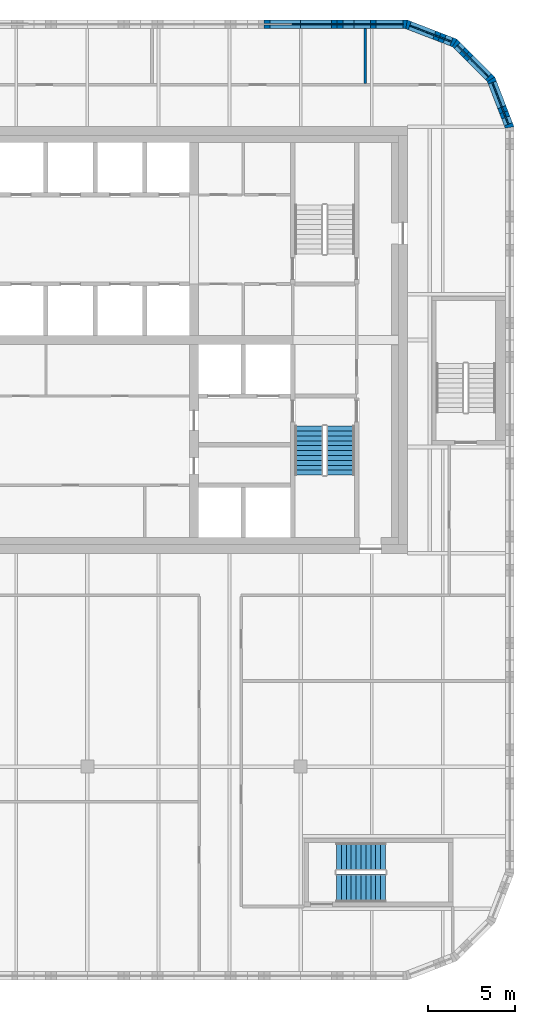
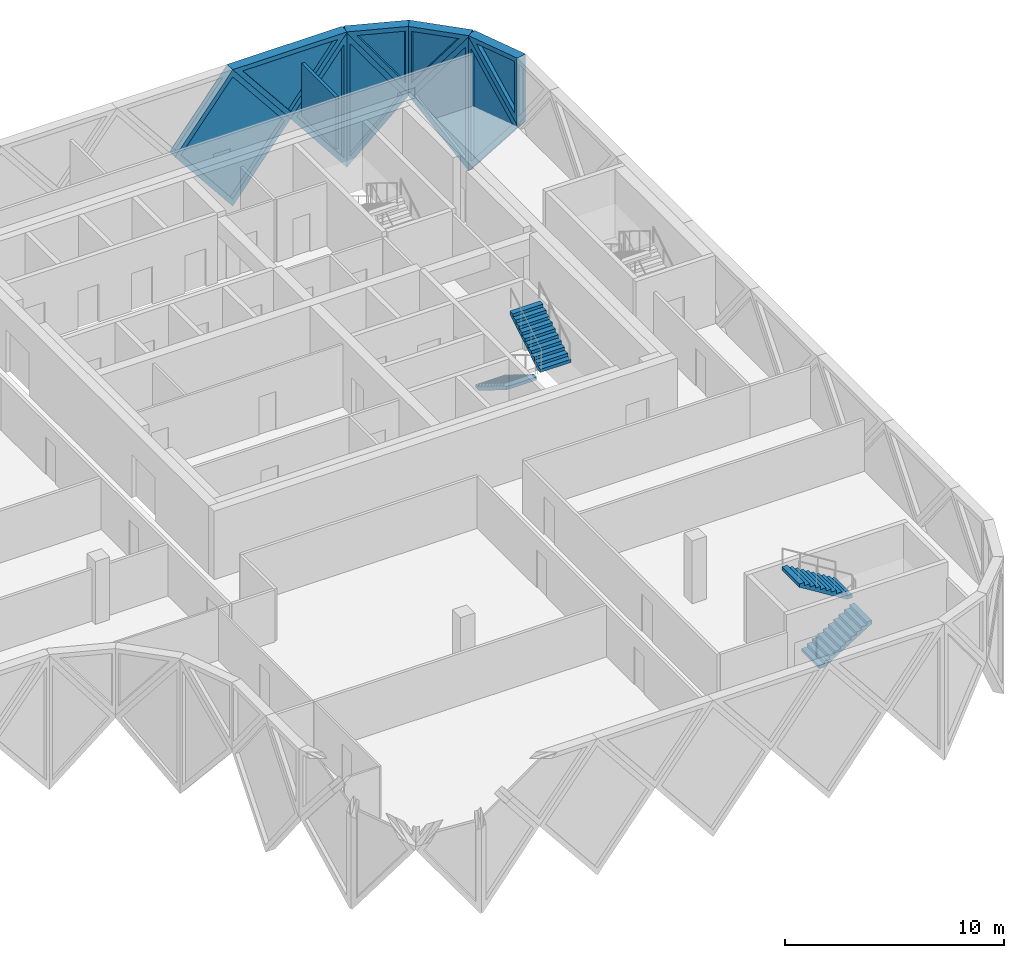
# One storey, part 13 of 15: 10 walls, 9 plates, 4 stair flights, 9 openings, 2 elements without a shape of their own.
"""IFC4 building model written with IfcOpenShell, lengths in metres."""

from ifc_helpers import new_model, si_unit, direction, frame, frame_2d, origin, place, context, subcontext, project, spatial, polyline, rectangle, outline, extrude, faceted_brep, source, transform, mapped, material, layer, layer_set, type_object, element, fill, aggregate, save


model = new_model("IFC4")

# Units and contexts
model_context = context("Model", 3, precision=1e-05, world=origin(), true_north=direction((0.0, 1.0)))
body_context = subcontext(model_context, "Body", "Model", "MODEL_VIEW")
ifc_project = project(units=[si_unit("LENGTHUNIT", "METRE"), si_unit("AREAUNIT", "SQUARE_METRE"), si_unit("VOLUMEUNIT", "CUBIC_METRE"), si_unit("PLANEANGLEUNIT", "RADIAN"), si_unit("MASSUNIT", "GRAM", prefix="KILO")], contexts=[model_context])

# Site, building, storey
site_placement = place(None, origin())
site = spatial("IfcSite", under=ifc_project, at=site_placement, CompositionType="ELEMENT")
building_placement = place(site_placement, origin())
building = spatial("IfcBuilding", under=site, at=building_placement, Name="Tessera Gate Towers", CompositionType="ELEMENT")
storey_placement = place(building_placement, frame((0.0, 0.0, 228.300048828125)))
storey = spatial("IfcBuildingStorey", under=building, at=storey_placement, Name="L57", CompositionType="ELEMENT", Elevation=228.300048828125)

# Wall
ifc_material_1 = material(Name="Gypsum board on steel studs, mineral wool", Category="steel")
ifc_layer_1 = layer(ifc_material_1, 0.14990234375)
ifc_layer_set_1 = layer_set([ifc_layer_1], Name="TENANCY WALL 150")
wall_type_1 = type_object("IfcWallType", Name="TENANCY WALL 150", PredefinedType="PARTITIONING", material=ifc_layer_set_1)
wall_1_placement = place(storey_placement, frame((52.5, 51.27587890625, 0.0), z_axis=(0.0, 0.0, 1.0), x_axis=(0.0, 1.0, 0.0)))
element("IfcWall", 1, at=wall_1_placement, inside=storey, type_object=wall_type_1, Name="T1-L57-PW-055", PredefinedType="PARTITIONING", context=body_context, shape_type="SweptSolid", body=[
    extrude(rectangle(XDim=3.1240234375, YDim=0.14990234375, at=frame_2d((1.56201171875, 0.0))), origin(), (0.0, 0.0, 1.0), 2.887939453125),
])

# Wall, opening, plate
ifc_material_2 = material(Name="Precast concrete C60/75 white", Category="concrete")
ifc_layer_2 = layer(ifc_material_2, 0.5)
ifc_layer_set_2 = layer_set([ifc_layer_2], Name="TS1 tessera")
wall_type_2 = type_object("IfcWallType", Name="TS1 tessera", PredefinedType="SOLIDWALL", material=ifc_layer_set_2)
shared_shape_1 = source(origin(), body_context, "Body", "SweptSolid", [
    extrude(outline(polyline([(3.050048828125, 0.0), (6.10009765625, 3.800048828125), (3.050048828125, 7.60009765625), (0.0, 3.800048828125), (3.050048828125, 0.0)])), frame((0.0, 0.25, 0.0), z_axis=(0.0, -1.0, 0.0), x_axis=(1.0, 0.0, 0.0)), (0.0, 0.0, 1.0), 0.5),
])
wall_2_placement = place(storey_placement, frame((51.85009765625, 54.64990234375, -3.800048828125), z_axis=(0.0, 0.0, 1.0), x_axis=(-1.0, 0.0, 0.0)))
wall_2 = element("IfcWall", 2, at=wall_2_placement, inside=storey, type_object=wall_type_2, Name="Precast tessera T1 TS1-1022", PredefinedType="SOLIDWALL", context=body_context, shape_type="MappedRepresentation", body=[
    mapped(shared_shape_1, transform((0.0, 0.0, 0.0), scale=1.0)),
])
shared_shape_2 = source(origin(), body_context, "Body", "SweptSolid", [
    extrude(outline(polyline([(3.050048828125, 0.3994140625), (5.779541015625, 3.800048828125), (3.050048828125, 7.20068359375), (0.320556640625, 3.800048828125), (3.050048828125, 0.3994140625)])), frame((0.0, 0.260009765625, 0.0), z_axis=(0.0, -1.0, 0.0), x_axis=(1.0, 0.0, 0.0)), (0.0, 0.0, 1.0), 0.52001953125),
])
opening_1_placement = place(wall_2_placement, origin())
opening_1 = element("IfcOpeningElement", 3, at=opening_1_placement, cuts=wall_2, Name="Opening T1-PL2-2088", PredefinedType="OPENING", context=body_context, shape_type="MappedRepresentation", body=[
    mapped(shared_shape_2, transform((0.0, 0.0, 0.0), scale=1.0)),
])
ifc_material_3 = material(Name="Low-e laminated glass", Category="glass")
ifc_layer_3 = layer(ifc_material_3, 0.06005859375)
ifc_layer_set_3 = layer_set([ifc_layer_3], Name="PL2 rhombic pane")
plate_type_1 = type_object("IfcPlateType", Name="PL2 rhombic pane", PredefinedType="SHEET", material=ifc_layer_set_3)
shared_shape_3 = source(origin(), body_context, "Body", "SweptSolid", [
    extrude(outline(polyline([(3.050048828125, 0.3994140625), (5.779541015625, 3.800048828125), (3.050048828125, 7.20068359375), (0.320556640625, 3.800048828125), (3.050048828125, 0.3994140625)])), frame((0.0, 0.030029296875, 0.0), z_axis=(0.0, -1.0, 0.0), x_axis=(1.0, 0.0, 0.0)), (0.0, 0.0, 1.0), 0.06005859375),
])
plate_1_placement = place(opening_1_placement, origin())
plate_1 = element("IfcPlate", 4, at=plate_1_placement, inside=storey, type_object=plate_type_1, Name="Glass pane T1 PL2-2088", PredefinedType="SHEET", context=body_context, shape_type="MappedRepresentation", body=[
    mapped(shared_shape_3, transform((0.0, 0.0, 0.0), scale=1.0)),
])
fill(opening_1, plate_1)

ifc_material_4 = material(Name="Precast concrete C60/75 white", Category="concrete")
ifc_layer_4 = layer(ifc_material_4, 0.5)
ifc_layer_set_4 = layer_set([ifc_layer_4], Name="TS3 corner tessera")
wall_type_3 = type_object("IfcWallType", Name="TS3 corner tessera", PredefinedType="SOLIDWALL", material=ifc_layer_set_4)
shared_shape_4 = source(origin(), body_context, "Body", "Brep", [
    faceted_brep([(2.950439453125, -0.25, 0.0), (2.9970703125, -0.25, 0.05908203125), (2.9970703125, -0.25, 7.541015625), (2.950439453125, -0.25, 7.60009765625), (0.0, -0.25, 3.800048828125), (0.052978515625, 0.25, 3.8681640625), (2.904052734375, 0.25, 7.540283203125), (2.904052734375, 0.25, 0.059814453125), (0.052978515625, 0.25, 3.73193359375), (2.950439453125, 0.00048828125, 0.0), (2.950439453125, 0.00048828125, 7.60009765625), (0.0, 0.0, 3.800048828125)], [[[0, 1, 2, 3, 4]], [[5, 6, 7, 8]], [[1, 0, 9]], [[10, 3, 2]], [[6, 5, 11, 4, 3, 10]], [[8, 7, 9, 0, 4, 11]], [[8, 11, 5]], [[1, 9, 7, 6, 10, 2]]]),
])
wall_3_placement = place(storey_placement, frame((57.606201171875, 53.588134765625, -3.800048828125), z_axis=(0.0, 0.0, 1.0), x_axis=(-0.932990326376, 0.359901446078, 0.0)))
wall_3 = element("IfcWall", 5, at=wall_3_placement, inside=storey, type_object=wall_type_3, Name="Precast corner tessera T1 TS3-1329", PredefinedType="SOLIDWALL", context=body_context, shape_type="MappedRepresentation", body=[
    mapped(shared_shape_4, transform((0.0, 0.0, 0.0), scale=1.0)),
])
shared_shape_5 = source(origin(), body_context, "Body", "SweptSolid", [
    extrude(outline(polyline([(2.75048828125, 6.934814453125), (0.31640625, 3.800048828125), (2.75048828125, 0.665283203125), (2.75048828125, 6.934814453125)])), frame((0.0, 0.260009765625, 0.0), z_axis=(0.0, -1.0, 0.0), x_axis=(1.0, 0.0, 0.0)), (0.0, 0.0, 1.0), 0.52001953125),
])
opening_2_placement = place(wall_3_placement, origin())
opening_2 = element("IfcOpeningElement", 6, at=opening_2_placement, cuts=wall_3, Name="Opening T1-PL2-2086", PredefinedType="OPENING", context=body_context, shape_type="MappedRepresentation", body=[
    mapped(shared_shape_5, transform((0.0, 0.0, 0.0), scale=1.0)),
])
shared_shape_6 = source(origin(), body_context, "Body", "SweptSolid", [
    extrude(outline(polyline([(2.75048828125, 6.934814453125), (0.31640625, 3.800048828125), (2.75048828125, 0.665283203125), (2.75048828125, 6.934814453125)])), frame((0.0, 0.030029296875, 0.0), z_axis=(0.0, -1.0, 0.0), x_axis=(1.0, 0.0, 0.0)), (0.0, 0.0, 1.0), 0.06005859375),
])
plate_2_placement = place(opening_2_placement, origin())
plate_2 = element("IfcPlate", 7, at=plate_2_placement, inside=storey, type_object=plate_type_1, Name="Glass pane T1 PL2-2086", PredefinedType="SHEET", context=body_context, shape_type="MappedRepresentation", body=[
    mapped(shared_shape_6, transform((0.0, 0.0, 0.0), scale=1.0)),
])
fill(opening_2, plate_2)

shared_shape_7 = source(origin(), body_context, "Body", "Brep", [
    faceted_brep([(0.046630859375, -0.25, 0.0), (3.050048828125, -0.25, 3.800048828125), (0.046630859375, -0.25, 7.60009765625), (0.0, -0.25, 7.5400390625), (0.0, -0.25, 0.06005859375), (0.09326171875, 0.25, 7.541259765625), (3.050048828125, 0.25, 3.800048828125), (0.09326171875, 0.25, 0.058837890625), (0.046630859375, 0.0, 0.0), (0.046630859375, 0.0, 7.60009765625)], [[[0, 1, 2, 3, 4]], [[5, 6, 7]], [[7, 6, 1, 0, 8]], [[6, 5, 9, 2, 1]], [[3, 2, 9]], [[8, 0, 4]], [[7, 8, 4, 3, 9, 5]]]),
])
wall_4_placement = place(storey_placement, frame((54.900146484375, 54.64990234375, -3.800048828125), z_axis=(0.0, 0.0, 1.0), x_axis=(-1.0, 0.0, 0.0)))
wall_4 = element("IfcWall", 8, at=wall_4_placement, inside=storey, type_object=wall_type_3, Name="Precast corner tessera T1 TS3-1330", PredefinedType="SOLIDWALL", context=body_context, shape_type="MappedRepresentation", body=[
    mapped(shared_shape_7, transform((0.0, 0.0, 0.0), scale=1.0)),
])
shared_shape_8 = source(origin(), body_context, "Body", "SweptSolid", [
    extrude(outline(polyline([(0.24658203125, 0.65625), (2.7314453125, 3.800048828125), (0.24658203125, 6.94384765625), (0.24658203125, 0.65625)])), frame((0.0, 0.260009765625, 0.0), z_axis=(0.0, -1.0, 0.0), x_axis=(1.0, 0.0, 0.0)), (0.0, 0.0, 1.0), 0.52001953125),
])
opening_3_placement = place(wall_4_placement, origin())
opening_3 = element("IfcOpeningElement", 9, at=opening_3_placement, cuts=wall_4, Name="Opening T1-PL2-2087", PredefinedType="OPENING", context=body_context, shape_type="MappedRepresentation", body=[
    mapped(shared_shape_8, transform((0.0, 0.0, 0.0), scale=1.0)),
])
shared_shape_9 = source(origin(), body_context, "Body", "SweptSolid", [
    extrude(outline(polyline([(0.24658203125, 0.65625), (2.7314453125, 3.800048828125), (0.24658203125, 6.94384765625), (0.24658203125, 0.65625)])), frame((0.0, 0.030029296875, 0.0), z_axis=(0.0, -1.0, 0.0), x_axis=(1.0, 0.0, 0.0)), (0.0, 0.0, 1.0), 0.06005859375),
])
plate_3_placement = place(opening_3_placement, origin())
plate_3 = element("IfcPlate", 10, at=plate_3_placement, inside=storey, type_object=plate_type_1, Name="Glass pane T1 PL2-2087", PredefinedType="SHEET", context=body_context, shape_type="MappedRepresentation", body=[
    mapped(shared_shape_9, transform((0.0, 0.0, 0.0), scale=1.0)),
])
fill(opening_3, plate_3)

shared_shape_10 = source(origin(), body_context, "Body", "Brep", [
    faceted_brep([(2.950439453125, -0.25, 0.0), (3.00341796875, -0.25, 0.068359375), (3.00341796875, -0.25, 7.53173828125), (2.950439453125, -0.25, 7.60009765625), (0.0, -0.25, 3.800048828125), (0.046630859375, 0.25, 3.860107421875), (2.897705078125, 0.25, 7.531982421875), (2.897705078125, 0.25, 0.068115234375), (0.046630859375, 0.25, 3.739990234375), (2.950439453125, 0.00048828125, 0.0), (2.950439453125, 0.00048828125, 7.60009765625), (0.0, 0.0, 3.800048828125)], [[[0, 1, 2, 3, 4]], [[5, 6, 7, 8]], [[1, 0, 9]], [[10, 3, 2]], [[6, 5, 11, 4, 3, 10]], [[8, 7, 9, 0, 4, 11]], [[8, 11, 5]], [[1, 9, 7, 6, 10, 2]]]),
])
wall_5_placement = place(storey_placement, frame((60.75, 48.75341796875, -3.800048828125), z_axis=(0.0, 0.0, 1.0), x_axis=(-0.35992665181, 0.932980602862, 0.0)))
wall_5 = element("IfcWall", 11, at=wall_5_placement, inside=storey, type_object=wall_type_3, Name="Precast corner tessera T1 TS3-1327", PredefinedType="SOLIDWALL", context=body_context, shape_type="MappedRepresentation", body=[
    mapped(shared_shape_10, transform((0.0, 0.0, 0.0), scale=1.0)),
])
opening_4_placement = place(wall_5_placement, origin())
opening_4 = element("IfcOpeningElement", 12, at=opening_4_placement, cuts=wall_5, Name="Opening T1-PL2-2084", PredefinedType="OPENING", context=body_context, shape_type="MappedRepresentation", body=[
    mapped(shared_shape_5, transform((0.0, 0.0, 0.0), scale=1.0)),
])
plate_4_placement = place(opening_4_placement, origin())
plate_4 = element("IfcPlate", 13, at=plate_4_placement, inside=storey, type_object=plate_type_1, Name="Glass pane T1 PL2-2084", PredefinedType="SHEET", context=body_context, shape_type="MappedRepresentation", body=[
    mapped(shared_shape_6, transform((0.0, 0.0, 0.0), scale=1.0)),
])
fill(opening_4, plate_4)

shared_shape_11 = source(origin(), body_context, "Body", "Brep", [
    faceted_brep([(0.052978515625, -0.25, 0.0), (2.9970703125, -0.25, 3.800048828125), (0.052978515625, -0.25, 7.60009765625), (0.0, -0.25, 7.531982421875), (0.0, -0.25, 0.068115234375), (0.10595703125, 0.25, 7.53173828125), (2.944091796875, 0.25, 3.8681640625), (2.944091796875, 0.25, 3.73193359375), (0.10595703125, 0.25, 0.068359375), (2.9970703125, 0.000244140625, 3.800048828125), (0.052978515625, 0.0, 0.0), (0.052978515625, 0.0, 7.60009765625)], [[[0, 1, 2, 3, 4]], [[5, 6, 7, 8]], [[8, 7, 9, 1, 0, 10]], [[6, 5, 11, 2, 1, 9]], [[3, 2, 11]], [[10, 0, 4]], [[8, 10, 4, 3, 11, 5]], [[9, 7, 6]]]),
])
wall_6_placement = place(storey_placement, frame((59.7255859375, 51.46875, -3.800048828125), z_axis=(0.0, 0.0, 1.0), x_axis=(-0.707106781187, 0.707106781187, 0.0)))
wall_6 = element("IfcWall", 14, at=wall_6_placement, inside=storey, type_object=wall_type_3, Name="Precast corner tessera T1 TS3-1328", PredefinedType="SOLIDWALL", context=body_context, shape_type="MappedRepresentation", body=[
    mapped(shared_shape_11, transform((0.0, 0.0, 0.0), scale=1.0)),
])
shared_shape_12 = source(origin(), body_context, "Body", "SweptSolid", [
    extrude(outline(polyline([(0.2529296875, 0.666259765625), (2.680908203125, 3.800048828125), (0.2529296875, 6.93359375), (0.2529296875, 0.666259765625)])), frame((0.0, 0.260009765625, 0.0), z_axis=(0.0, -1.0, 0.0), x_axis=(1.0, 0.0, 0.0)), (0.0, 0.0, 1.0), 0.52001953125),
])
opening_5_placement = place(wall_6_placement, origin())
opening_5 = element("IfcOpeningElement", 15, at=opening_5_placement, cuts=wall_6, Name="Opening T1-PL2-2085", PredefinedType="OPENING", context=body_context, shape_type="MappedRepresentation", body=[
    mapped(shared_shape_12, transform((0.0, 0.0, 0.0), scale=1.0)),
])
shared_shape_13 = source(origin(), body_context, "Body", "SweptSolid", [
    extrude(outline(polyline([(0.2529296875, 0.666259765625), (2.680908203125, 3.800048828125), (0.2529296875, 6.93359375), (0.2529296875, 0.666259765625)])), frame((0.0, 0.030029296875, 0.0), z_axis=(0.0, -1.0, 0.0), x_axis=(1.0, 0.0, 0.0)), (0.0, 0.0, 1.0), 0.06005859375),
])
plate_5_placement = place(opening_5_placement, origin())
plate_5 = element("IfcPlate", 16, at=plate_5_placement, inside=storey, type_object=plate_type_1, Name="Glass pane T1 PL2-2085", PredefinedType="SHEET", context=body_context, shape_type="MappedRepresentation", body=[
    mapped(shared_shape_13, transform((0.0, 0.0, 0.0), scale=1.0)),
])
fill(opening_5, plate_5)

shared_shape_14 = source(origin(), body_context, "Body", "Brep", [
    faceted_brep([(0.046630859375, -0.25, 0.0), (2.9970703125, -0.25, 3.800048828125), (0.0, -0.25, 3.800048828125), (0.0, -0.25, 0.058837890625), (0.09326171875, 0.25, 3.800048828125), (2.9443359375, 0.25, 3.800048828125), (2.9443359375, 0.25, 3.73193359375), (0.09326171875, 0.25, 0.06005859375), (2.9970703125, 0.00048828125, 3.800048828125), (0.046630859375, 0.0, 0.0)], [[[0, 1, 2, 3]], [[4, 5, 6, 7]], [[7, 6, 8, 1, 0, 9]], [[5, 4, 2, 1, 8]], [[9, 0, 3]], [[7, 9, 3, 2, 4]], [[6, 5, 8]]]),
])
wall_7_placement = place(storey_placement, frame((60.766845703125, 48.7099609375, 0.0), z_axis=(0.0, 0.0, 1.0), x_axis=(-0.359901446078, 0.932990326376, 0.0)))
wall_7 = element("IfcWall", 17, at=wall_7_placement, inside=storey, type_object=wall_type_3, Name="Precast corner tessera T1 TS3-1350", PredefinedType="SOLIDWALL", context=body_context, shape_type="MappedRepresentation", body=[
    mapped(shared_shape_14, transform((0.0, 0.0, 0.0), scale=1.0)),
])
shared_shape_15 = source(origin(), body_context, "Body", "SweptSolid", [
    extrude(outline(polyline([(0.24658203125, 0.665283203125), (2.486572265625, 3.550048828125), (0.24658203125, 3.550048828125), (0.24658203125, 0.665283203125)])), frame((0.0, 0.260009765625, 0.0), z_axis=(0.0, -1.0, 0.0), x_axis=(1.0, 0.0, 0.0)), (0.0, 0.0, 1.0), 0.52001953125),
])
opening_6_placement = place(wall_7_placement, origin())
opening_6 = element("IfcOpeningElement", 18, at=opening_6_placement, cuts=wall_7, Name="Opening T1-PL1-0532", PredefinedType="OPENING", context=body_context, shape_type="MappedRepresentation", body=[
    mapped(shared_shape_15, transform((0.0, 0.0, 0.0), scale=1.0)),
])
ifc_material_5 = material(Name="Low-e laminated glass", Category="glass")
ifc_layer_5 = layer(ifc_material_5, 0.06005859375)
ifc_layer_set_5 = layer_set([ifc_layer_5], Name="PL1 triangular pane")
plate_type_2 = type_object("IfcPlateType", Name="PL1 triangular pane", PredefinedType="SHEET", material=ifc_layer_set_5)
shared_shape_16 = source(origin(), body_context, "Body", "SweptSolid", [
    extrude(outline(polyline([(0.24658203125, 0.665283203125), (2.486572265625, 3.550048828125), (0.24658203125, 3.550048828125), (0.24658203125, 0.665283203125)])), frame((0.0, 0.030029296875, 0.0), z_axis=(0.0, -1.0, 0.0), x_axis=(1.0, 0.0, 0.0)), (0.0, 0.0, 1.0), 0.06005859375),
])
plate_6_placement = place(opening_6_placement, origin())
plate_6 = element("IfcPlate", 19, at=plate_6_placement, inside=storey, type_object=plate_type_2, Name="Glass pane T1 PL1-0532", PredefinedType="SHEET", context=body_context, shape_type="MappedRepresentation", body=[
    mapped(shared_shape_16, transform((0.0, 0.0, 0.0), scale=1.0)),
])
fill(opening_6, plate_6)

ifc_material_6 = material(Name="Precast concrete C60/75 white", Category="concrete")
ifc_layer_6 = layer(ifc_material_6, 0.5)
ifc_layer_set_6 = layer_set([ifc_layer_6], Name="TS2 half tessera")
wall_type_4 = type_object("IfcWallType", Name="TS2 half tessera", PredefinedType="SOLIDWALL", material=ifc_layer_set_6)
shared_shape_17 = source(origin(), body_context, "Body", "Brep", [
    faceted_brep([(3.00341796875, -0.25, 0.0), (6.053466796875, -0.25, 3.800048828125), (0.0, -0.25, 3.800048828125), (0.046630859375, 0.25, 3.800048828125), (6.053466796875, 0.25, 3.800048828125), (3.00341796875, 0.25, 0.0), (0.046630859375, 0.25, 3.7412109375), (0.0, 0.0, 3.800048828125)], [[[0, 1, 2]], [[3, 4, 5, 6]], [[5, 4, 1, 0]], [[4, 3, 7, 2, 1]], [[6, 5, 0, 2, 7]], [[6, 7, 3]]]),
])
wall_8_placement = place(storey_placement, frame((54.853515625, 54.64990234375, 0.0), z_axis=(0.0, 0.0, 1.0), x_axis=(-1.0, 0.0, 0.0)))
wall_8 = element("IfcWall", 20, at=wall_8_placement, inside=storey, type_object=wall_type_4, Name="Precast half tessera T1 TS2-0263", PredefinedType="SOLIDWALL", context=body_context, shape_type="MappedRepresentation", body=[
    mapped(shared_shape_17, transform((0.0, 0.0, 0.0), scale=1.0)),
])
shared_shape_18 = source(origin(), body_context, "Body", "SweptSolid", [
    extrude(outline(polyline([(3.0048828125, 0.401123046875), (5.5322265625, 3.550048828125), (0.516357421875, 3.550048828125), (3.0048828125, 0.401123046875)])), frame((0.0, 0.260009765625, 0.0), z_axis=(0.0, -1.0, 0.0), x_axis=(1.0, 0.0, 0.0)), (0.0, 0.0, 1.0), 0.52001953125),
])
opening_7_placement = place(wall_8_placement, origin())
opening_7 = element("IfcOpeningElement", 21, at=opening_7_placement, cuts=wall_8, Name="Opening T1-PL1-0535", PredefinedType="OPENING", context=body_context, shape_type="MappedRepresentation", body=[
    mapped(shared_shape_18, transform((0.0, 0.0, 0.0), scale=1.0)),
])
shared_shape_19 = source(origin(), body_context, "Body", "SweptSolid", [
    extrude(outline(polyline([(3.0048828125, 0.401123046875), (5.5322265625, 3.550048828125), (0.516357421875, 3.550048828125), (3.0048828125, 0.401123046875)])), frame((0.0, 0.030029296875, 0.0), z_axis=(0.0, -1.0, 0.0), x_axis=(1.0, 0.0, 0.0)), (0.0, 0.0, 1.0), 0.06005859375),
])
plate_7_placement = place(opening_7_placement, origin())
plate_7 = element("IfcPlate", 22, at=plate_7_placement, inside=storey, type_object=plate_type_2, Name="Glass pane T1 PL1-0535", PredefinedType="SHEET", context=body_context, shape_type="MappedRepresentation", body=[
    mapped(shared_shape_19, transform((0.0, 0.0, 0.0), scale=1.0)),
])
fill(opening_7, plate_7)

shared_shape_20 = source(origin(), body_context, "Body", "Brep", [
    faceted_brep([(2.944091796875, -0.25, 0.0), (2.9970703125, -0.25, 0.068115234375), (2.9970703125, -0.25, 3.800048828125), (0.0, -0.25, 3.800048828125), (0.052978515625, 0.25, 3.800048828125), (2.89111328125, 0.25, 3.800048828125), (2.89111328125, 0.25, 0.068115234375), (0.052978515625, 0.25, 3.731689453125), (2.944091796875, 0.000244140625, 0.0), (0.0, 0.0, 3.800048828125)], [[[0, 1, 2, 3]], [[4, 5, 6, 7]], [[1, 0, 8]], [[5, 4, 9, 3, 2]], [[7, 6, 8, 0, 3, 9]], [[7, 9, 4]], [[1, 8, 6, 5, 2]]]),
])
wall_9_placement = place(storey_placement, frame((59.68798828125, 51.50634765625, 0.0), z_axis=(0.0, 0.0, 1.0), x_axis=(-0.707106781187, 0.707106781187, 0.0)))
wall_9 = element("IfcWall", 23, at=wall_9_placement, inside=storey, type_object=wall_type_3, Name="Precast corner tessera T1 TS3-1351", PredefinedType="SOLIDWALL", context=body_context, shape_type="MappedRepresentation", body=[
    mapped(shared_shape_20, transform((0.0, 0.0, 0.0), scale=1.0)),
])
shared_shape_21 = source(origin(), body_context, "Body", "SweptSolid", [
    extrude(outline(polyline([(2.744140625, 3.550048828125), (0.510009765625, 3.550048828125), (2.744140625, 0.666259765625), (2.744140625, 3.550048828125)])), frame((0.0, 0.260009765625, 0.0), z_axis=(0.0, -1.0, 0.0), x_axis=(1.0, 0.0, 0.0)), (0.0, 0.0, 1.0), 0.52001953125),
])
opening_8_placement = place(wall_9_placement, origin())
opening_8 = element("IfcOpeningElement", 24, at=opening_8_placement, cuts=wall_9, Name="Opening T1-PL1-0533", PredefinedType="OPENING", context=body_context, shape_type="MappedRepresentation", body=[
    mapped(shared_shape_21, transform((0.0, 0.0, 0.0), scale=1.0)),
])
shared_shape_22 = source(origin(), body_context, "Body", "SweptSolid", [
    extrude(outline(polyline([(2.744140625, 3.550048828125), (0.510009765625, 3.550048828125), (2.744140625, 0.666259765625), (2.744140625, 3.550048828125)])), frame((0.0, 0.030029296875, 0.0), z_axis=(0.0, -1.0, 0.0), x_axis=(1.0, 0.0, 0.0)), (0.0, 0.0, 1.0), 0.06005859375),
])
plate_8_placement = place(opening_8_placement, origin())
plate_8 = element("IfcPlate", 25, at=plate_8_placement, inside=storey, type_object=plate_type_2, Name="Glass pane T1 PL1-0533", PredefinedType="SHEET", context=body_context, shape_type="MappedRepresentation", body=[
    mapped(shared_shape_22, transform((0.0, 0.0, 0.0), scale=1.0)),
])
fill(opening_8, plate_8)

shared_shape_23 = source(origin(), body_context, "Body", "Brep", [
    faceted_brep([(0.052978515625, -0.25, 0.0), (3.00341796875, -0.25, 3.800048828125), (0.0, -0.25, 3.800048828125), (0.0, -0.25, 0.068359375), (0.10595703125, 0.25, 3.800048828125), (2.95703125, 0.25, 3.800048828125), (2.95703125, 0.25, 3.740234375), (0.10595703125, 0.25, 0.068115234375), (3.00341796875, 0.00048828125, 3.800048828125), (0.052978515625, 0.0, 0.0)], [[[0, 1, 2, 3]], [[4, 5, 6, 7]], [[7, 6, 8, 1, 0, 9]], [[5, 4, 2, 1, 8]], [[9, 0, 3]], [[7, 9, 3, 2, 4]], [[6, 5, 8]]]),
])
wall_10_placement = place(storey_placement, frame((57.65576171875, 53.569091796875, 0.0), z_axis=(0.0, 0.0, 1.0), x_axis=(-0.933007896601, 0.359855894603, 0.0)))
wall_10 = element("IfcWall", 26, at=wall_10_placement, inside=storey, type_object=wall_type_3, Name="Precast corner tessera T1 TS3-1352", PredefinedType="SOLIDWALL", context=body_context, shape_type="MappedRepresentation", body=[
    mapped(shared_shape_23, transform((0.0, 0.0, 0.0), scale=1.0)),
])
shared_shape_24 = source(origin(), body_context, "Body", "SweptSolid", [
    extrude(outline(polyline([(0.2529296875, 0.665283203125), (2.492919921875, 3.550048828125), (0.2529296875, 3.550048828125), (0.2529296875, 0.665283203125)])), frame((0.0, 0.260009765625, 0.0), z_axis=(0.0, -1.0, 0.0), x_axis=(1.0, 0.0, 0.0)), (0.0, 0.0, 1.0), 0.52001953125),
])
opening_9_placement = place(wall_10_placement, origin())
opening_9 = element("IfcOpeningElement", 27, at=opening_9_placement, cuts=wall_10, Name="Opening T1-PL1-0534", PredefinedType="OPENING", context=body_context, shape_type="MappedRepresentation", body=[
    mapped(shared_shape_24, transform((0.0, 0.0, 0.0), scale=1.0)),
])
shared_shape_25 = source(origin(), body_context, "Body", "SweptSolid", [
    extrude(outline(polyline([(0.2529296875, 0.665283203125), (2.492919921875, 3.550048828125), (0.2529296875, 3.550048828125), (0.2529296875, 0.665283203125)])), frame((0.0, 0.030029296875, 0.0), z_axis=(0.0, -1.0, 0.0), x_axis=(1.0, 0.0, 0.0)), (0.0, 0.0, 1.0), 0.06005859375),
])
plate_9_placement = place(opening_9_placement, origin())
plate_9 = element("IfcPlate", 28, at=plate_9_placement, inside=storey, type_object=plate_type_2, Name="Glass pane T1 PL1-0534", PredefinedType="SHEET", context=body_context, shape_type="MappedRepresentation", body=[
    mapped(shared_shape_25, transform((0.0, 0.0, 0.0), scale=1.0)),
])
fill(opening_9, plate_9)

# Stair, stair flights
ifc_material_7 = material(Name="Concrete C40/50", Category="concrete")
stair_type_1 = type_object("IfcStairType", Name="EXIT STAIR ST1 1600", PredefinedType="HALF_TURN_STAIR", material=ifc_material_7)
stair_1_placement = place(storey_placement, origin())
stair_1 = element("IfcStair", 29, at=stair_1_placement, inside=storey, type_object=stair_type_1, Name="L57 Protected Exit Stair ST1", PredefinedType="HALF_TURN_STAIR")
ifc_material_8 = material(Name="Concrete C40/50", Category="concrete")
stair_flight_type_1 = type_object("IfcStairFlightType", Name="EXIT STAIR FLIGHT ST1 1600", PredefinedType="STRAIGHT", material=ifc_material_8)
stair_flight_1_placement = place(storey_placement, frame((49.27490234375, 31.675048828125, 0.0), z_axis=(0.0, 0.0, 1.0), x_axis=(0.0, -1.0, 0.0)))
stair_flight_1 = element("IfcStairFlight", 30, at=stair_flight_1_placement, type_object=stair_flight_type_1, Name="ST1 flight 1", NumberOfRisers=11, NumberOfTreads=10, PredefinedType="STRAIGHT", RiserHeight=0.172727273, TreadLength=0.28, context=body_context, shape_type="SweptSolid", body=[
    extrude(outline(polyline([(0.0, 0.0), (0.0, 0.172607421875), (0.280029296875, 0.172607421875), (0.280029296875, 0.345458984375), (0.56005859375, 0.345458984375), (0.56005859375, 0.51806640625), (0.840087890625, 0.51806640625), (0.840087890625, 0.69091796875), (1.1201171875, 0.69091796875), (1.1201171875, 0.863525390625), (1.39990234375, 0.863525390625), (1.39990234375, 1.036376953125), (1.679931640625, 1.036376953125), (1.679931640625, 1.208984375), (1.9599609375, 1.208984375), (1.9599609375, 1.3818359375), (2.239990234375, 1.3818359375), (2.239990234375, 1.554443359375), (2.52001953125, 1.554443359375), (2.52001953125, 1.727294921875), (2.800048828125, 1.727294921875), (2.800048828125, 1.89990234375), (2.800048828125, 1.551025390625), (0.285400390625, 0.0), (0.0, 0.0)])), frame((0.0, 0.800048828125, 0.0), z_axis=(0.0, -1.0, 0.0), x_axis=(1.0, 0.0, 0.0)), (0.0, 0.0, 1.0), 1.60009765625),
])
stair_flight_2_placement = place(storey_placement, frame((51.074951171875, 28.875, 1.89990234375), z_axis=(0.0, 0.0, 1.0), x_axis=(0.0, 1.0, 0.0)))
stair_flight_2 = element("IfcStairFlight", 31, at=stair_flight_2_placement, type_object=stair_flight_type_1, Name="ST1 flight 2", NumberOfRisers=11, NumberOfTreads=10, PredefinedType="STRAIGHT", RiserHeight=0.172727273, TreadLength=0.28, context=body_context, shape_type="SweptSolid", body=[
    extrude(outline(polyline([(0.0, 0.0), (0.0, 0.172607421875), (0.280029296875, 0.172607421875), (0.280029296875, 0.345458984375), (0.56005859375, 0.345458984375), (0.56005859375, 0.51806640625), (0.840087890625, 0.51806640625), (0.840087890625, 0.69091796875), (1.1201171875, 0.69091796875), (1.1201171875, 0.863525390625), (1.39990234375, 0.863525390625), (1.39990234375, 1.036376953125), (1.679931640625, 1.036376953125), (1.679931640625, 1.208984375), (1.9599609375, 1.208984375), (1.9599609375, 1.3818359375), (2.239990234375, 1.3818359375), (2.239990234375, 1.554443359375), (2.52001953125, 1.554443359375), (2.52001953125, 1.727294921875), (2.800048828125, 1.727294921875), (2.800048828125, 1.89990234375), (2.800048828125, 1.551025390625), (0.285400390625, 0.0), (0.0, 0.0)])), frame((0.0, 0.800048828125, 0.0), z_axis=(0.0, -1.0, 0.0), x_axis=(1.0, 0.0, 0.0)), (0.0, 0.0, 1.0), 1.60009765625),
])
aggregate(stair_1, [stair_flight_1, stair_flight_2])

ifc_material_9 = material(Name="Concrete C40/50", Category="concrete")
stair_type_2 = type_object("IfcStairType", Name="EXIT STAIR ST4 1600", PredefinedType="HALF_TURN_STAIR", material=ifc_material_9)
stair_2_placement = place(storey_placement, origin())
stair_2 = element("IfcStair", 32, at=stair_2_placement, inside=storey, type_object=stair_type_2, Name="L57 South Exit Stair ST4", PredefinedType="HALF_TURN_STAIR")
ifc_material_10 = material(Name="Concrete C40/50", Category="concrete")
stair_flight_type_2 = type_object("IfcStairFlightType", Name="EXIT STAIR FLIGHT ST4 1600", PredefinedType="STRAIGHT", material=ifc_material_10)
stair_flight_3_placement = place(storey_placement, frame((50.85009765625, 5.25, 0.0), z_axis=(0.0, 0.0, 1.0), x_axis=(1.0, 0.0, 0.0)))
stair_flight_3 = element("IfcStairFlight", 33, at=stair_flight_3_placement, type_object=stair_flight_type_2, Name="ST4 flight 1", NumberOfRisers=11, NumberOfTreads=10, PredefinedType="STRAIGHT", RiserHeight=0.172727273, TreadLength=0.28, context=body_context, shape_type="SweptSolid", body=[
    extrude(outline(polyline([(0.0, 0.0), (0.0, 0.172607421875), (0.280029296875, 0.172607421875), (0.280029296875, 0.345458984375), (0.56005859375, 0.345458984375), (0.56005859375, 0.51806640625), (0.840087890625, 0.51806640625), (0.840087890625, 0.69091796875), (1.1201171875, 0.69091796875), (1.1201171875, 0.863525390625), (1.39990234375, 0.863525390625), (1.39990234375, 1.036376953125), (1.679931640625, 1.036376953125), (1.679931640625, 1.208984375), (1.9599609375, 1.208984375), (1.9599609375, 1.3818359375), (2.239990234375, 1.3818359375), (2.239990234375, 1.554443359375), (2.52001953125, 1.554443359375), (2.52001953125, 1.727294921875), (2.800048828125, 1.727294921875), (2.800048828125, 1.89990234375), (2.800048828125, 1.551025390625), (0.285400390625, 0.0), (0.0, 0.0)])), frame((0.0, 0.800048828125, 0.0), z_axis=(0.0, -1.0, 0.0), x_axis=(1.0, 0.0, 0.0)), (0.0, 0.0, 1.0), 1.60009765625),
])
stair_flight_4_placement = place(storey_placement, frame((53.64990234375, 7.050048828125, 1.89990234375), z_axis=(0.0, 0.0, 1.0), x_axis=(-1.0, 0.0, 0.0)))
stair_flight_4 = element("IfcStairFlight", 34, at=stair_flight_4_placement, type_object=stair_flight_type_2, Name="ST4 flight 2", NumberOfRisers=11, NumberOfTreads=10, PredefinedType="STRAIGHT", RiserHeight=0.172727273, TreadLength=0.28, context=body_context, shape_type="SweptSolid", body=[
    extrude(outline(polyline([(0.0, 0.0), (0.0, 0.172607421875), (0.280029296875, 0.172607421875), (0.280029296875, 0.345458984375), (0.56005859375, 0.345458984375), (0.56005859375, 0.51806640625), (0.840087890625, 0.51806640625), (0.840087890625, 0.69091796875), (1.1201171875, 0.69091796875), (1.1201171875, 0.863525390625), (1.39990234375, 0.863525390625), (1.39990234375, 1.036376953125), (1.679931640625, 1.036376953125), (1.679931640625, 1.208984375), (1.9599609375, 1.208984375), (1.9599609375, 1.3818359375), (2.239990234375, 1.3818359375), (2.239990234375, 1.554443359375), (2.52001953125, 1.554443359375), (2.52001953125, 1.727294921875), (2.800048828125, 1.727294921875), (2.800048828125, 1.89990234375), (2.800048828125, 1.551025390625), (0.285400390625, 0.0), (0.0, 0.0)])), frame((0.0, 0.800048828125, 0.0), z_axis=(0.0, -1.0, 0.0), x_axis=(1.0, 0.0, 0.0)), (0.0, 0.0, 1.0), 1.60009765625),
])
aggregate(stair_2, [stair_flight_3, stair_flight_4])

save(model, "model.ifc")
